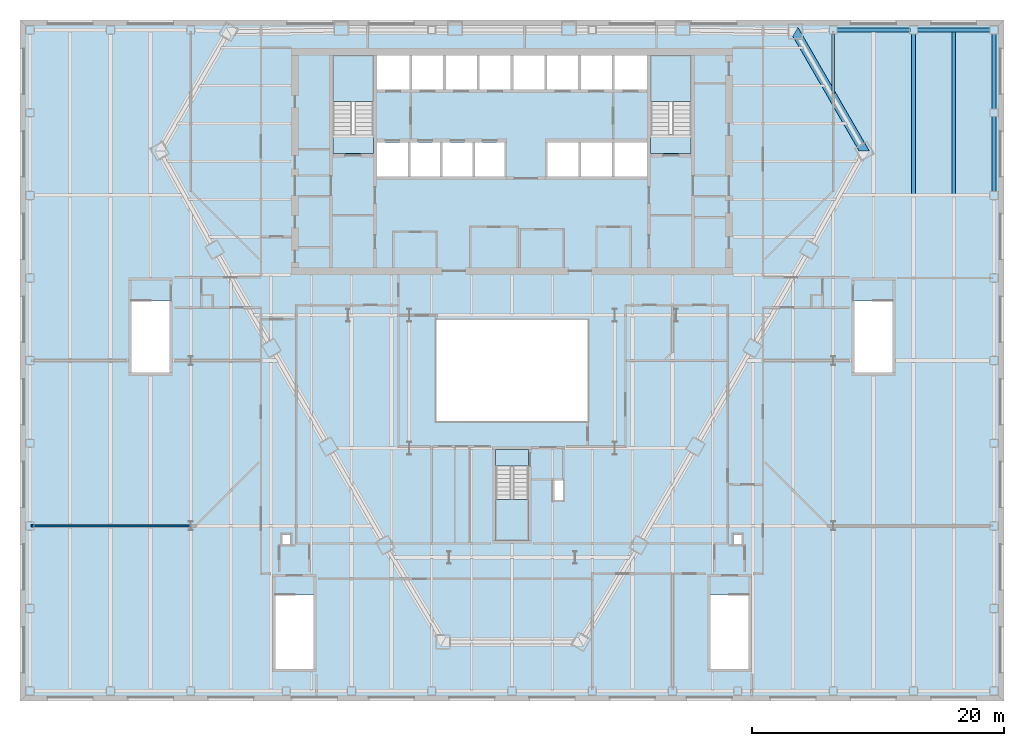
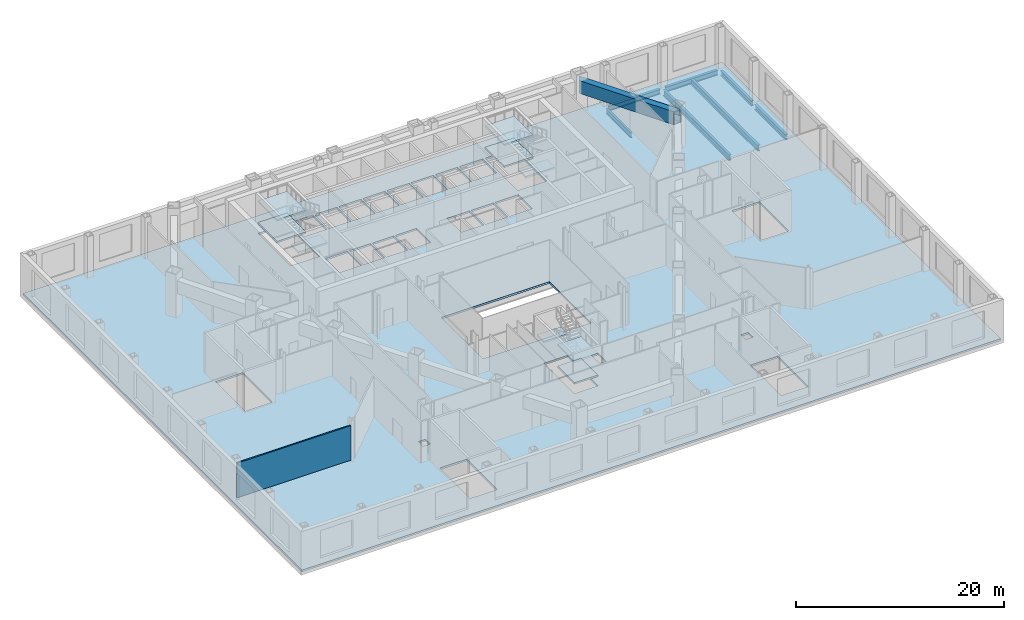
# One storey, part 7 of 17: 10 slabs, 8 beams, 1 wall, 3 elements without a shape of their own.
"""IFC4 building model written with IfcOpenShell, lengths in metres."""

from ifc_helpers import new_model, si_unit, direction, frame, frame_2d, origin, origin_2d, place, context, subcontext, project, spatial, polyline, rectangle, hollow_rectangle, i_section, outline, extrude, clip, halfspace, material, layer, layer_set, material_profile, profile_set, type_object, element, aggregate, save


model = new_model("IFC4")

# Units and contexts
model_context = context("Model", 3, precision=1e-05, world=origin(), true_north=direction((0.0, 1.0)))
body_context = subcontext(model_context, "Body", "Model", "MODEL_VIEW")
ifc_project = project(units=[si_unit("LENGTHUNIT", "METRE"), si_unit("AREAUNIT", "SQUARE_METRE"), si_unit("VOLUMEUNIT", "CUBIC_METRE"), si_unit("PLANEANGLEUNIT", "RADIAN"), si_unit("MASSUNIT", "GRAM", prefix="KILO")], contexts=[model_context])

# Site, building, storey
site_placement = place(None, origin())
site = spatial("IfcSite", under=ifc_project, at=site_placement, CompositionType="ELEMENT")
building_placement = place(site_placement, origin())
building = spatial("IfcBuilding", under=site, at=building_placement, Name="Njiva Tower", CompositionType="ELEMENT")
storey_placement = place(building_placement, frame((0.0, 0.0, 23.7)))
storey = spatial("IfcBuildingStorey", under=building, at=storey_placement, Name="L04", CompositionType="ELEMENT", Elevation=23.7)

# Beams
ifc_material_1 = material(Name="Steel S355 J2", Category="steel")
ifc_material_profile_1 = material_profile(ifc_material_1, i_section(OverallWidth=0.3, OverallDepth=0.69, WebThickness=0.0145, FlangeThickness=0.027, at=origin_2d()), Name="HEA 700")
ifc_profile_set_1 = profile_set([ifc_material_profile_1], Name="Steel S355 J2")
beam_type_1 = type_object("IfcBeamType", Name="B12 Long-span floor joist HEA 700", PredefinedType="JOIST", material=ifc_profile_set_1)
beam_1_placement = place(storey_placement, frame((31.833, 19.1, -0.565), z_axis=(0.0, -1.0, 0.0), x_axis=(1.0, 0.0, 0.0)))
element("IfcBeam", 1, at=beam_1_placement, inside=storey, type_object=beam_type_1, Name="Long-span floor joist L04-B125", PredefinedType="JOIST", context=body_context, shape_type="SweptSolid", body=[
    extrude(i_section(OverallWidth=0.3, OverallDepth=0.69, WebThickness=0.0145, FlangeThickness=0.027, at=origin_2d()), origin(), (0.0, 0.0, 1.0), 12.7),
])
beam_2_placement = place(storey_placement, frame((35.017, 19.3, -0.565), z_axis=(0.0, -1.0, 0.0), x_axis=(1.0, 0.0, 0.0)))
element("IfcBeam", 2, at=beam_2_placement, inside=storey, type_object=beam_type_1, Name="Long-span floor joist L04-B129", PredefinedType="JOIST", context=body_context, shape_type="SweptSolid", body=[
    extrude(i_section(OverallWidth=0.3, OverallDepth=0.69, WebThickness=0.0145, FlangeThickness=0.027, at=origin_2d()), origin(), (0.0, 0.0, 1.0), 12.9),
])
ifc_material_profile_2 = material_profile(ifc_material_1, i_section(OverallWidth=0.22, OverallDepth=0.6, WebThickness=0.012, FlangeThickness=0.019, at=origin_2d()), Name="IPE 600")
ifc_profile_set_2 = profile_set([ifc_material_profile_2], Name="Steel S355 J2")
beam_type_2 = type_object("IfcBeamType", Name="B13 Floor joist IPE 600", PredefinedType="JOIST", material=ifc_profile_set_2)
beam_3_placement = place(storey_placement, frame((25.467, 19.1, -0.52), z_axis=(0.0, -1.0, 0.0), x_axis=(1.0, 0.0, 0.0)))
element("IfcBeam", 3, at=beam_3_placement, inside=storey, type_object=beam_type_2, Name="Floor joist L04-B117", PredefinedType="JOIST", context=body_context, shape_type="SweptSolid", body=[
    extrude(i_section(OverallWidth=0.22, OverallDepth=0.6, WebThickness=0.012, FlangeThickness=0.019, at=origin_2d()), origin(), (0.0, 0.0, 1.0), 4.772),
])
ifc_material_profile_3 = material_profile(ifc_material_1, i_section(OverallWidth=0.3, OverallDepth=0.6, WebThickness=0.0155, FlangeThickness=0.03, at=origin_2d()), Name="HEB 600")
ifc_profile_set_3 = profile_set([ifc_material_profile_3], Name="Steel S355 J2")
beam_type_3 = type_object("IfcBeamType", Name="B2 Spandrel beam HEB 600", PredefinedType="SPANDREL", material=ifc_profile_set_3)
for number, where, z_axis, x_axis, name in (
    (4, (38.2, 6.6, -0.52), (0.0, 1.0, 0.0), (-1.0, 0.0, 0.0), "Spandrel beam L04-B186"),
    (5, (38.2, 13.15, -0.52), (0.0, 1.0, 0.0), (-1.0, 0.0, 0.0), "Spandrel beam L04-B187"),
):
    element("IfcBeam", number, at=place(storey_placement, frame(where, z_axis=z_axis, x_axis=x_axis)), inside=storey, type_object=beam_type_3, Name=name, PredefinedType="SPANDREL", context=body_context, shape_type="SweptSolid", body=[
        extrude(i_section(OverallWidth=0.3, OverallDepth=0.6, WebThickness=0.0155, FlangeThickness=0.03, at=origin_2d()), origin(), (0.0, 0.0, 1.0), 5.95),
    ])
beam_4_placement = place(storey_placement, frame((25.767, 19.4, -0.52), z_axis=(1.0, 0.0, 0.0), x_axis=(0.0, 1.0, 0.0)))
element("IfcBeam", 6, at=beam_4_placement, inside=storey, type_object=beam_type_3, Name="Spandrel beam L04-B177", PredefinedType="SPANDREL", context=body_context, shape_type="SweptSolid", body=[
    extrude(i_section(OverallWidth=0.3, OverallDepth=0.6, WebThickness=0.0155, FlangeThickness=0.03, at=origin_2d()), origin(), (0.0, 0.0, 1.0), 5.766),
])
beam_5_placement = place(storey_placement, frame((32.133, 19.4, -0.52), z_axis=(1.0, 0.0, 0.0), x_axis=(0.0, 1.0, 0.0)))
element("IfcBeam", 7, at=beam_5_placement, inside=storey, type_object=beam_type_3, Name="Spandrel beam L04-B179", PredefinedType="SPANDREL", context=body_context, shape_type="SweptSolid", body=[
    extrude(i_section(OverallWidth=0.3, OverallDepth=0.6, WebThickness=0.0155, FlangeThickness=0.03, at=origin_2d()), origin(), (0.0, 0.0, 1.0), 5.767),
])
ifc_material_profile_4 = material_profile(ifc_material_1, hollow_rectangle(XDim=0.7, YDim=1.5, WallThickness=0.07, at=origin_2d()), Name="BOX 1500x700x70")
ifc_profile_set_4 = profile_set([ifc_material_profile_4], Name="Steel S355 J2")
beam_type_4 = type_object("IfcBeamType", Name="TG1 Transfer girder BOX 1500x700x70", PredefinedType="BEAM", material=ifc_profile_set_4)
beam_6_placement = place(storey_placement, frame((28.0375, 9.6097, 3.5), z_axis=(-0.500057937927, 0.865991950723, 0.0), x_axis=(-0.865991950723, -0.500057937927, 0.0)))
element("IfcBeam", 8, at=beam_6_placement, inside=storey, type_object=beam_type_4, Name="Transfer girder TG-18", PredefinedType="BEAM", context=body_context, shape_type="Clipping", body=[
    clip(clip(extrude(hollow_rectangle(XDim=0.7, YDim=1.5, WallThickness=0.07, at=origin_2d()), origin(), (0.0, 0.0, 1.0), 11.3807), halfspace(frame((0.0006, 0.0, 0.229), z_axis=(0.493592405901, 0.0, -0.869693357936), x_axis=(0.0, -1.0, 0.0)), False)), halfspace(frame((-0.0002, 0.0, 11.1515), z_axis=(0.493483655891, 0.0, 0.869755069757), x_axis=(0.0, 1.0, 0.0)), False)),
])

# Stair, slabs
ifc_material_2 = material(Name="Concrete C40/50", Category="concrete")
stair_type_1 = type_object("IfcStairType", Name="ST4 Exit stair 1500", PredefinedType="HALF_TURN_STAIR", material=ifc_material_2)
stair_1_placement = place(storey_placement, origin())
stair_1 = element("IfcStair", 9, at=stair_1_placement, inside=storey, type_object=stair_type_1, Name="Stair A", PredefinedType="DOUBLE_RETURN_STAIR")
ifc_layer_1 = layer(ifc_material_2, 0.2)
ifc_layer_set_1 = layer_set([ifc_layer_1], Name="Concrete C40/50")
slab_type_1 = type_object("IfcSlabType", Name="FL9 Stair landing 200", PredefinedType="LANDING", material=ifc_layer_set_1)
slab_1_placement = place(storey_placement, frame((0.0, 0.0, 1.075)))
slab_1 = element("IfcSlab", 10, at=slab_1_placement, type_object=slab_type_1, Name="ST-A landing 1", PredefinedType="LANDING", context=body_context, shape_type="SweptSolid", body=[
    extrude(outline(polyline([(-14.206, 13.74), (-10.994, 13.74), (-10.994, 17.4), (-14.206, 17.4), (-14.206, 13.74)])), origin(), (0.0, 0.0, 1.0), 0.2),
])
slab_2_placement = place(storey_placement, frame((0.0, 0.0, 2.35)))
slab_2 = element("IfcSlab", 11, at=slab_2_placement, type_object=slab_type_1, Name="ST-A landing 2", PredefinedType="LANDING", context=body_context, shape_type="SweptSolid", body=[
    extrude(outline(polyline([(-14.206, 9.6), (-10.994, 9.6), (-10.994, 11.1), (-14.206, 11.1), (-14.206, 9.6)])), origin(), (0.0, 0.0, 1.0), 0.2),
])
slab_3_placement = place(storey_placement, frame((0.0, 0.0, 3.625)))
slab_3 = element("IfcSlab", 12, at=slab_3_placement, type_object=slab_type_1, Name="ST-A landing 3", PredefinedType="LANDING", context=body_context, shape_type="SweptSolid", body=[
    extrude(outline(polyline([(-14.206, 13.74), (-10.994, 13.74), (-10.994, 17.4), (-14.206, 17.4), (-14.206, 13.74)])), origin(), (0.0, 0.0, 1.0), 0.2),
])
aggregate(stair_1, [slab_1, slab_2, slab_3])

stair_2_placement = place(storey_placement, origin())
stair_2 = element("IfcStair", 13, at=stair_2_placement, inside=storey, type_object=stair_type_1, Name="Stair B", PredefinedType="DOUBLE_RETURN_STAIR")
slab_4_placement = place(storey_placement, frame((0.0, 0.0, 1.075)))
slab_4 = element("IfcSlab", 14, at=slab_4_placement, type_object=slab_type_1, Name="ST-B landing 1", PredefinedType="LANDING", context=body_context, shape_type="SweptSolid", body=[
    extrude(outline(polyline([(10.994, 13.74), (14.206, 13.74), (14.206, 17.4), (10.994, 17.4), (10.994, 13.74)])), origin(), (0.0, 0.0, 1.0), 0.2),
])
slab_5_placement = place(storey_placement, frame((0.0, 0.0, 2.35)))
slab_5 = element("IfcSlab", 15, at=slab_5_placement, type_object=slab_type_1, Name="ST-B landing 2", PredefinedType="LANDING", context=body_context, shape_type="SweptSolid", body=[
    extrude(outline(polyline([(10.994, 9.6), (14.206, 9.6), (14.206, 11.1), (10.994, 11.1), (10.994, 9.6)])), origin(), (0.0, 0.0, 1.0), 0.2),
])
slab_6_placement = place(storey_placement, frame((0.0, 0.0, 3.625)))
slab_6 = element("IfcSlab", 16, at=slab_6_placement, type_object=slab_type_1, Name="ST-B landing 3", PredefinedType="LANDING", context=body_context, shape_type="SweptSolid", body=[
    extrude(outline(polyline([(10.994, 13.74), (14.206, 13.74), (14.206, 17.4), (10.994, 17.4), (10.994, 13.74)])), origin(), (0.0, 0.0, 1.0), 0.2),
])
aggregate(stair_2, [slab_4, slab_5, slab_6])

stair_type_2 = type_object("IfcStairType", Name="ST1 Exit stair 1250", PredefinedType="HALF_TURN_STAIR", material=ifc_material_2)
stair_3_placement = place(storey_placement, origin())
stair_3 = element("IfcStair", 17, at=stair_3_placement, inside=storey, type_object=stair_type_2, Name="Stair C", PredefinedType="DOUBLE_RETURN_STAIR")
slab_7_placement = place(storey_placement, frame((0.0, 0.0, 1.075)))
slab_7 = element("IfcSlab", 18, at=slab_7_placement, type_object=slab_type_1, Name="ST-C landing 1", PredefinedType="LANDING", context=body_context, shape_type="SweptSolid", body=[
    extrude(outline(polyline([(-1.306, -21.05), (1.306, -21.05), (1.306, -17.8), (-1.306, -17.8), (-1.306, -21.05)])), origin(), (0.0, 0.0, 1.0), 0.2),
])
slab_8_placement = place(storey_placement, frame((0.0, 0.0, 2.35)))
slab_8 = element("IfcSlab", 19, at=slab_8_placement, type_object=slab_type_1, Name="ST-C landing 2", PredefinedType="LANDING", context=body_context, shape_type="SweptSolid", body=[
    extrude(outline(polyline([(-1.306, -15.16), (1.306, -15.16), (1.306, -13.85), (-1.306, -13.85), (-1.306, -15.16)])), origin(), (0.0, 0.0, 1.0), 0.2),
])
slab_9_placement = place(storey_placement, frame((0.0, 0.0, 3.625)))
slab_9 = element("IfcSlab", 20, at=slab_9_placement, type_object=slab_type_1, Name="ST-C landing 3", PredefinedType="LANDING", context=body_context, shape_type="SweptSolid", body=[
    extrude(outline(polyline([(-1.306, -21.05), (1.306, -21.05), (1.306, -17.8), (-1.306, -17.8), (-1.306, -21.05)])), origin(), (0.0, 0.0, 1.0), 0.2),
])
aggregate(stair_3, [slab_7, slab_8, slab_9])

# Slab
ifc_material_3 = material(Name="Concrete C30/37", Category="concrete")
ifc_layer_2 = layer(ifc_material_3, 0.22)
ifc_layer_set_2 = layer_set([ifc_layer_2], Name="Concrete C30/37")
slab_type_2 = type_object("IfcSlabType", Name="SL12 Composite floor slab 220", PredefinedType="FLOOR", material=ifc_layer_set_2)
slab_10_placement = place(storey_placement, frame((0.0, 0.0, -0.22)))
element("IfcSlab", 21, at=slab_10_placement, inside=storey, type_object=slab_type_2, Name="Floor slab L04", PredefinedType="FLOOR", context=body_context, shape_type="SweptSolid", body=[
    extrude(outline(polyline([(-38.775, -33.575), (-38.775, 19.975), (38.775, 19.975), (38.775, -33.575), (-38.775, -33.575)]), holes=[polyline([(27.144, -2.08), (27.144, -7.75), (30.156, -7.75), (30.156, -2.08), (27.144, -2.08)]), polyline([(15.744, -31.25), (18.756, -31.25), (18.756, -25.38), (15.744, -25.38), (15.744, -31.25)]), polyline([(17.5, -20.525), (17.5, -21.425), (18.3, -21.425), (18.3, -20.525), (17.5, -20.525)]), polyline([(10.994, 17.4), (10.994, 11.13), (14.206, 11.13), (14.206, 17.4), (10.994, 17.4)]), polyline([(8.125, 17.4), (8.125, 14.7), (10.7, 14.7), (10.7, 17.4), (8.125, 17.4)]), polyline([(8.1333, 10.5), (8.1333, 7.8), (10.7, 7.8), (10.7, 10.5), (8.1333, 10.5)]), polyline([(5.4667, 7.8), (7.9333, 7.8), (7.9333, 10.5), (5.4667, 10.5), (5.4667, 7.8)]), polyline([(5.45, 17.4), (5.45, 14.7), (7.925, 14.7), (7.925, 17.4), (5.45, 17.4)]), polyline([(-6.0, -11.6), (6.0, -11.6), (6.0, -3.6), (-6.0, -3.6), (-6.0, -11.6)]), polyline([(2.8, 10.5), (2.8, 7.8), (5.2667, 7.8), (5.2667, 10.5), (2.8, 10.5)]), polyline([(2.775, 17.4), (2.775, 14.7), (5.25, 14.7), (5.25, 17.4), (2.775, 17.4)]), polyline([(3.35, -17.85), (4.05, -17.85), (4.05, -16.3), (3.35, -16.3), (3.35, -17.85)]), polyline([(0.1, 17.4), (0.1, 14.7), (2.575, 14.7), (2.575, 17.4), (0.1, 17.4)]), polyline([(-1.306, -15.19), (-1.306, -21.05), (1.306, -21.05), (1.306, -15.19), (-1.306, -15.19)]), polyline([(-2.575, 17.4), (-2.575, 14.7), (-0.1, 14.7), (-0.1, 17.4), (-2.575, 17.4)]), polyline([(-2.95, 10.5), (-2.95, 7.8), (-0.6, 7.8), (-0.6, 10.5), (-2.95, 10.5)]), polyline([(-5.25, 17.4), (-5.25, 14.7), (-2.775, 14.7), (-2.775, 17.4), (-5.25, 17.4)]), polyline([(-5.5, 7.8), (-3.15, 7.8), (-3.15, 10.5), (-5.5, 10.5), (-5.5, 7.8)]), polyline([(-7.925, 17.4), (-7.925, 14.7), (-5.45, 14.7), (-5.45, 17.4), (-7.925, 17.4)]), polyline([(-8.05, 10.5), (-8.05, 7.8), (-5.7, 7.8), (-5.7, 10.5), (-8.05, 10.5)]), polyline([(-10.7, 17.4), (-10.7, 14.7), (-8.125, 14.7), (-8.125, 17.4), (-10.7, 17.4)]), polyline([(-10.7, 10.5), (-10.7, 7.8), (-8.25, 7.8), (-8.25, 10.5), (-10.7, 10.5)]), polyline([(-14.206, 17.4), (-14.206, 11.13), (-10.994, 11.13), (-10.994, 17.4), (-14.206, 17.4)]), polyline([(-18.756, -31.25), (-15.744, -31.25), (-15.744, -25.38), (-18.756, -25.38), (-18.756, -31.25)]), polyline([(-18.3, -20.525), (-18.3, -21.425), (-17.5, -21.425), (-17.5, -20.525), (-18.3, -20.525)]), polyline([(-30.156, -7.75), (-27.144, -7.75), (-27.144, -2.08), (-30.156, -2.08), (-30.156, -7.75)])]), origin(), (0.0, 0.0, 1.0), 0.22),
])

# Wall
ifc_material_4 = material(Name="Gypsum board on steel studs", Category="gypsum")
ifc_layer_3 = layer(ifc_material_4, 0.15)
ifc_layer_set_3 = layer_set([ifc_layer_3], Name="Gypsum board on steel studs")
wall_type = type_object("IfcWallType", Name="WT21 Compartment wall 150", PredefinedType="PARTITIONING", material=ifc_layer_set_3)
wall_placement = place(storey_placement, frame((-38.1, -19.9, 0.0), z_axis=(0.0, 0.0, 1.0), x_axis=(1.0, 0.0, 0.0)))
element("IfcWall", 22, at=wall_placement, inside=storey, type_object=wall_type, Name="Partition L04-P001", PredefinedType="PARTITIONING", context=body_context, shape_type="SweptSolid", body=[
    extrude(rectangle(XDim=12.633, YDim=0.15, at=frame_2d((6.3165, 0.0))), origin(), (0.0, 0.0, 1.0), 4.06),
])

save(model, "model.ifc")
